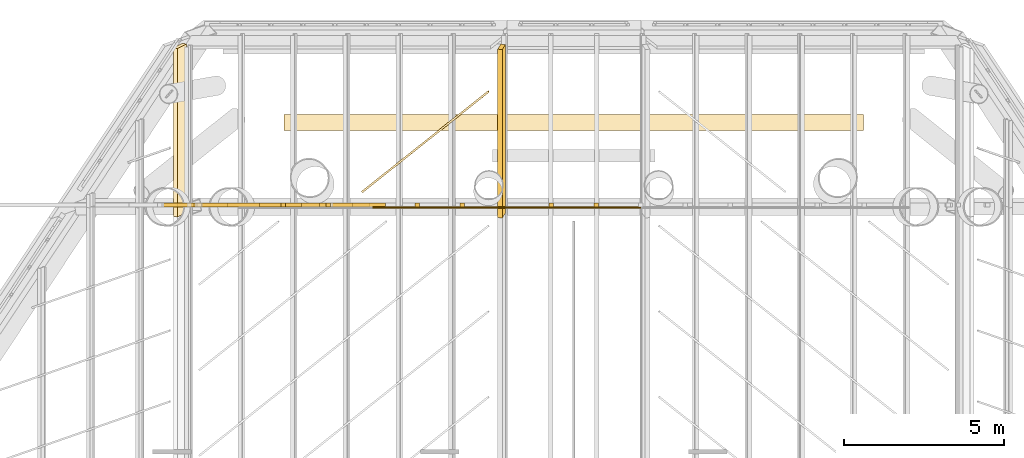
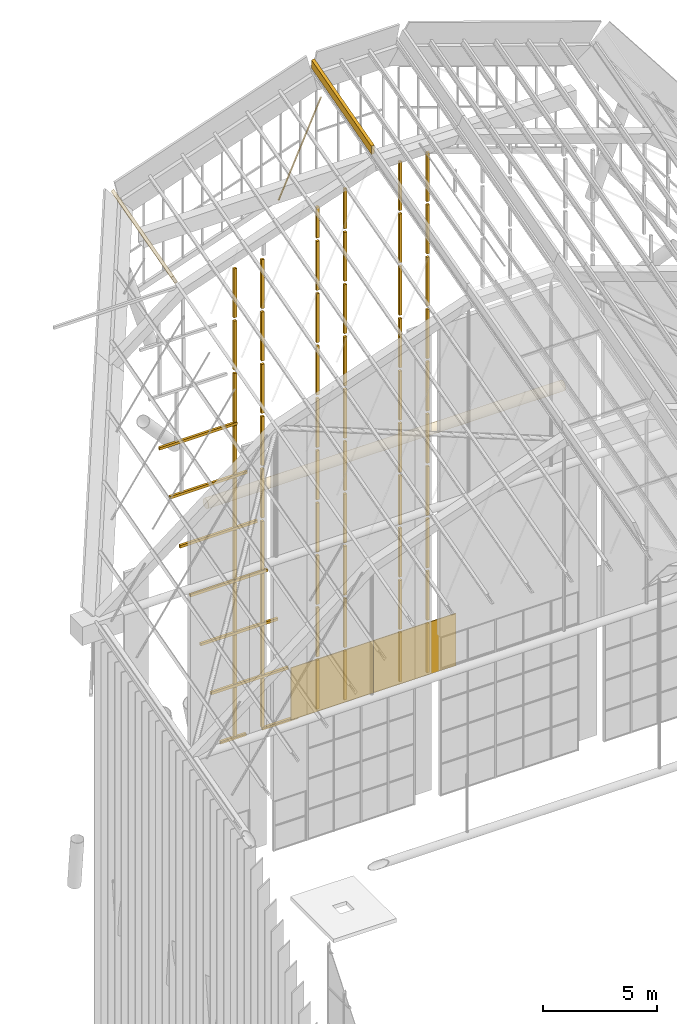
# One storey, part 114 of 126: 72 coverings.
"""IFC4 building model written with IfcOpenShell, lengths in metres."""

from ifc_helpers import new_model, si_unit, direction, frame, origin, origin_2d, place, context, subcontext, project, spatial, polyline, rectangle, circle, outline, extrude, material, layer, layer_set, material_profile, profile_set, type_object, element, save


model = new_model("IFC4")

# Units and contexts
model_context = context("Model", 3, precision=1e-05, world=origin(), true_north=direction((0.0, 1.0)))
body_context = subcontext(model_context, "Body", "Model", "MODEL_VIEW")
ifc_project = project(units=[si_unit("LENGTHUNIT", "METRE"), si_unit("AREAUNIT", "SQUARE_METRE"), si_unit("VOLUMEUNIT", "CUBIC_METRE"), si_unit("PLANEANGLEUNIT", "RADIAN"), si_unit("MASSUNIT", "GRAM", prefix="KILO")], contexts=[model_context])

# Site, building, storey
site_placement = place(None, origin())
site = spatial("IfcSite", under=ifc_project, at=site_placement, CompositionType="ELEMENT")
building_placement = place(site_placement, origin())
building = spatial("IfcBuilding", under=site, at=building_placement, Name="Sava Quay Ferry Terminal", CompositionType="ELEMENT")
storey_placement = place(building_placement, frame((0.0, 0.0, 15.0)))
storey = spatial("IfcBuildingStorey", under=building, at=storey_placement, Name="L03", CompositionType="ELEMENT", Elevation=15.0)

# Coverings
ifc_material_1 = material(Name="Steel S355", Category="steel")
ifc_material_profile_1 = material_profile(ifc_material_1, rectangle(XDim=0.14990234375, YDim=0.60009765625, at=origin_2d()), Name="Cap 150 x 600")
ifc_profile_set_1 = profile_set([ifc_material_profile_1], Name="Steel S355")
covering_type_1 = type_object("IfcCoveringType", Name="Crease capping 150x600", PredefinedType="MOLDING", material=ifc_profile_set_1)
for number, where, z_axis, x_axis, name in (
    (1, (50.6572265625, 108.96240234375, 25.925048828125), (0.0, 0.964574190917, 0.263811732523), (-0.885496565881, 0.122579045404, -0.44818546322), "Departure hall crease capping bay 8 crease 1"),
    (2, (60.737548828125, 108.93505859375, 29.388671875), (0.0, 0.964574190917, 0.263811732523), (-0.987174224814, 0.042116656855, -0.153991029213), "Departure hall crease capping bay 8 crease 2"),
):
    element("IfcCovering", number, at=place(storey_placement, frame(where, z_axis=z_axis, x_axis=x_axis)), inside=storey, type_object=covering_type_1, Name=name, PredefinedType="MOLDING", context=body_context, shape_type="SweptSolid", body=[
        extrude(rectangle(XDim=0.14990234375, YDim=0.60009765625, at=origin_2d()), origin(), (0.0, 0.0, 1.0), 5.473876953125),
    ])
ifc_material_2 = material(Name="Laminated glass", Category="glass")
ifc_layer_1 = layer(ifc_material_2, 0.0400390625)
ifc_layer_set_1 = layer_set([ifc_layer_1], Name="Laminated glass")
covering_type_2 = type_object("IfcCoveringType", Name="Prow end glazing 40", PredefinedType="CLADDING", material=ifc_layer_set_1)
covering_1_placement = place(storey_placement, frame((56.699951171875, 109.199951171875, 0.006591796875), z_axis=(0.0, 1.0, 0.0), x_axis=(0.0, 0.0, 1.0)))
element("IfcCovering", 3, at=covering_1_placement, inside=storey, type_object=covering_type_2, Name="Departure hall prow end glazing panel 12", PredefinedType="CLADDING", context=body_context, shape_type="SweptSolid", body=[
    extrude(outline(polyline([(0.0, 0.0), (2.8134765625, 0.0), (2.8134765625, 4.199951171875), (0.0, 4.199951171875), (0.0, 0.0)])), origin(), (0.0, 0.0, -1.0), 0.0400390625),
])
covering_2_placement = place(storey_placement, frame((60.89990234375, 109.199951171875, 0.006591796875), z_axis=(0.0, 1.0, 0.0), x_axis=(0.0, 0.0, 1.0)))
element("IfcCovering", 4, at=covering_2_placement, inside=storey, type_object=covering_type_2, Name="Departure hall prow end glazing panel 13", PredefinedType="CLADDING", context=body_context, shape_type="SweptSolid", body=[
    extrude(outline(polyline([(0.0, 0.0), (2.8134765625, 0.0), (2.8134765625, 4.2001953125), (0.0, 4.2001953125), (0.0, 0.0)])), origin(), (0.0, 0.0, -1.0), 0.0400390625),
])
ifc_material_3 = material(Name="Steel S355", Category="steel")
ifc_material_profile_2 = material_profile(ifc_material_3, rectangle(XDim=0.139892578125, YDim=0.1201171875, at=origin_2d()), Name="Strip 140 x 120")
ifc_profile_set_2 = profile_set([ifc_material_profile_2], Name="Steel S355")
covering_type_3 = type_object("IfcCoveringType", Name="Prow glazing bar 140 x 120", PredefinedType="CLADDING", material=ifc_profile_set_2)
for number, where, z_axis, x_axis, name in (
    (5, (55.300048828125, 109.260009765625, 0.0966796875), (0.0, 0.0, 1.0), (1.0, 0.0, 0.0), "Prow glazing bar"),
    (6, (53.89990234375, 109.260009765625, 0.0966796875), (0.0, 0.0, 1.0), (1.0, 0.0, 0.0), "Prow glazing bar"),
    (7, (59.5, 109.260009765625, 0.0966796875), (0.0, 0.0, 1.0), (1.0, 0.0, 0.0), "Prow glazing bar"),
    (8, (58.099853515625, 109.260009765625, 0.0966796875), (0.0, 0.0, 1.0), (1.0, 0.0, 0.0), "Prow glazing bar"),
    (9, (63.699951171875, 109.260009765625, 0.0966796875), (0.0, 0.0, 1.0), (1.0, 0.0, 0.0), "Prow glazing bar"),
    (10, (62.300048828125, 109.260009765625, 0.0966796875), (0.0, 0.0, 1.0), (1.0, 0.0, 0.0), "Prow glazing bar"),
):
    element("IfcCovering", number, at=place(storey_placement, frame(where, z_axis=z_axis, x_axis=x_axis)), inside=storey, type_object=covering_type_3, Name=name, PredefinedType="CLADDING", context=body_context, shape_type="SweptSolid", body=[
        extrude(rectangle(XDim=0.139892578125, YDim=0.1201171875, at=origin_2d()), origin(), (0.0, 0.0, 1.0), 2.63330078125),
    ])
for number, where, z_axis, x_axis, name in (
    (11, (55.300048828125, 109.260009765625, 2.91015625), (0.0, 0.0, 1.0), (1.0, 0.0, 0.0), "Prow glazing bar"),
    (12, (53.89990234375, 109.260009765625, 2.91015625), (0.0, 0.0, 1.0), (1.0, 0.0, 0.0), "Prow glazing bar"),
    (13, (59.5, 109.260009765625, 2.91015625), (0.0, 0.0, 1.0), (1.0, 0.0, 0.0), "Prow glazing bar"),
    (14, (58.099853515625, 109.260009765625, 2.91015625), (0.0, 0.0, 1.0), (1.0, 0.0, 0.0), "Prow glazing bar"),
    (15, (63.699951171875, 109.260009765625, 2.91015625), (0.0, 0.0, 1.0), (1.0, 0.0, 0.0), "Prow glazing bar"),
    (16, (62.300048828125, 109.260009765625, 2.91015625), (0.0, 0.0, 1.0), (1.0, 0.0, 0.0), "Prow glazing bar"),
):
    element("IfcCovering", number, at=place(storey_placement, frame(where, z_axis=z_axis, x_axis=x_axis)), inside=storey, type_object=covering_type_3, Name=name, PredefinedType="CLADDING", context=body_context, shape_type="SweptSolid", body=[
        extrude(rectangle(XDim=0.139892578125, YDim=0.1201171875, at=origin_2d()), origin(), (0.0, 0.0, 1.0), 2.633056640625),
    ])
for number, where, z_axis, x_axis, name in (
    (17, (55.300048828125, 109.260009765625, 5.723388671875), (0.0, 0.0, 1.0), (1.0, 0.0, 0.0), "Prow glazing bar"),
    (18, (53.89990234375, 109.260009765625, 5.723388671875), (0.0, 0.0, 1.0), (1.0, 0.0, 0.0), "Prow glazing bar"),
    (19, (59.5, 109.260009765625, 5.723388671875), (0.0, 0.0, 1.0), (1.0, 0.0, 0.0), "Prow glazing bar"),
    (20, (58.099853515625, 109.260009765625, 5.723388671875), (0.0, 0.0, 1.0), (1.0, 0.0, 0.0), "Prow glazing bar"),
    (21, (63.699951171875, 109.260009765625, 5.723388671875), (0.0, 0.0, 1.0), (1.0, 0.0, 0.0), "Prow glazing bar"),
    (22, (62.300048828125, 109.260009765625, 5.723388671875), (0.0, 0.0, 1.0), (1.0, 0.0, 0.0), "Prow glazing bar"),
):
    element("IfcCovering", number, at=place(storey_placement, frame(where, z_axis=z_axis, x_axis=x_axis)), inside=storey, type_object=covering_type_3, Name=name, PredefinedType="CLADDING", context=body_context, shape_type="SweptSolid", body=[
        extrude(rectangle(XDim=0.139892578125, YDim=0.1201171875, at=origin_2d()), origin(), (0.0, 0.0, 1.0), 2.63330078125),
    ])
for number, where, z_axis, x_axis, name in (
    (23, (55.300048828125, 109.260009765625, 8.536865234375), (0.0, 0.0, 1.0), (1.0, 0.0, 0.0), "Prow glazing bar"),
    (24, (53.89990234375, 109.260009765625, 8.536865234375), (0.0, 0.0, 1.0), (1.0, 0.0, 0.0), "Prow glazing bar"),
    (25, (59.5, 109.260009765625, 8.536865234375), (0.0, 0.0, 1.0), (1.0, 0.0, 0.0), "Prow glazing bar"),
    (26, (58.099853515625, 109.260009765625, 8.536865234375), (0.0, 0.0, 1.0), (1.0, 0.0, 0.0), "Prow glazing bar"),
    (27, (63.699951171875, 109.260009765625, 8.536865234375), (0.0, 0.0, 1.0), (1.0, 0.0, 0.0), "Prow glazing bar"),
    (28, (62.300048828125, 109.260009765625, 8.536865234375), (0.0, 0.0, 1.0), (1.0, 0.0, 0.0), "Prow glazing bar"),
):
    element("IfcCovering", number, at=place(storey_placement, frame(where, z_axis=z_axis, x_axis=x_axis)), inside=storey, type_object=covering_type_3, Name=name, PredefinedType="CLADDING", context=body_context, shape_type="SweptSolid", body=[
        extrude(rectangle(XDim=0.139892578125, YDim=0.1201171875, at=origin_2d()), origin(), (0.0, 0.0, 1.0), 2.633056640625),
    ])
for number, where, z_axis, x_axis, name in (
    (29, (55.300048828125, 109.260009765625, 11.35009765625), (0.0, 0.0, 1.0), (1.0, 0.0, 0.0), "Prow glazing bar"),
    (30, (53.89990234375, 109.260009765625, 11.35009765625), (0.0, 0.0, 1.0), (1.0, 0.0, 0.0), "Prow glazing bar"),
    (31, (59.5, 109.260009765625, 11.35009765625), (0.0, 0.0, 1.0), (1.0, 0.0, 0.0), "Prow glazing bar"),
    (32, (58.099853515625, 109.260009765625, 11.35009765625), (0.0, 0.0, 1.0), (1.0, 0.0, 0.0), "Prow glazing bar"),
    (33, (63.699951171875, 109.260009765625, 11.35009765625), (0.0, 0.0, 1.0), (1.0, 0.0, 0.0), "Prow glazing bar"),
    (34, (62.300048828125, 109.260009765625, 11.35009765625), (0.0, 0.0, 1.0), (1.0, 0.0, 0.0), "Prow glazing bar"),
):
    element("IfcCovering", number, at=place(storey_placement, frame(where, z_axis=z_axis, x_axis=x_axis)), inside=storey, type_object=covering_type_3, Name=name, PredefinedType="CLADDING", context=body_context, shape_type="SweptSolid", body=[
        extrude(rectangle(XDim=0.139892578125, YDim=0.1201171875, at=origin_2d()), origin(), (0.0, 0.0, 1.0), 2.63330078125),
    ])
for number, where, z_axis, x_axis, name in (
    (35, (55.300048828125, 109.260009765625, 14.16357421875), (0.0, 0.0, 1.0), (1.0, 0.0, 0.0), "Prow glazing bar"),
    (36, (53.89990234375, 109.260009765625, 14.16357421875), (0.0, 0.0, 1.0), (1.0, 0.0, 0.0), "Prow glazing bar"),
    (37, (59.5, 109.260009765625, 14.16357421875), (0.0, 0.0, 1.0), (1.0, 0.0, 0.0), "Prow glazing bar"),
    (38, (58.099853515625, 109.260009765625, 14.16357421875), (0.0, 0.0, 1.0), (1.0, 0.0, 0.0), "Prow glazing bar"),
    (39, (63.699951171875, 109.260009765625, 14.16357421875), (0.0, 0.0, 1.0), (1.0, 0.0, 0.0), "Prow glazing bar"),
    (40, (62.300048828125, 109.260009765625, 14.16357421875), (0.0, 0.0, 1.0), (1.0, 0.0, 0.0), "Prow glazing bar"),
):
    element("IfcCovering", number, at=place(storey_placement, frame(where, z_axis=z_axis, x_axis=x_axis)), inside=storey, type_object=covering_type_3, Name=name, PredefinedType="CLADDING", context=body_context, shape_type="SweptSolid", body=[
        extrude(rectangle(XDim=0.139892578125, YDim=0.1201171875, at=origin_2d()), origin(), (0.0, 0.0, 1.0), 2.633056640625),
    ])
for number, where, z_axis, x_axis, name in (
    (41, (55.300048828125, 109.260009765625, 16.976806640625), (0.0, 0.0, 1.0), (1.0, 0.0, 0.0), "Prow glazing bar"),
    (42, (53.89990234375, 109.260009765625, 16.976806640625), (0.0, 0.0, 1.0), (1.0, 0.0, 0.0), "Prow glazing bar"),
    (43, (59.5, 109.260009765625, 16.976806640625), (0.0, 0.0, 1.0), (1.0, 0.0, 0.0), "Prow glazing bar"),
    (44, (58.099853515625, 109.260009765625, 16.976806640625), (0.0, 0.0, 1.0), (1.0, 0.0, 0.0), "Prow glazing bar"),
    (45, (63.699951171875, 109.260009765625, 16.976806640625), (0.0, 0.0, 1.0), (1.0, 0.0, 0.0), "Prow glazing bar"),
    (46, (62.300048828125, 109.260009765625, 16.976806640625), (0.0, 0.0, 1.0), (1.0, 0.0, 0.0), "Prow glazing bar"),
):
    element("IfcCovering", number, at=place(storey_placement, frame(where, z_axis=z_axis, x_axis=x_axis)), inside=storey, type_object=covering_type_3, Name=name, PredefinedType="CLADDING", context=body_context, shape_type="SweptSolid", body=[
        extrude(rectangle(XDim=0.139892578125, YDim=0.1201171875, at=origin_2d()), origin(), (0.0, 0.0, 1.0), 2.63330078125),
    ])
for number, where, z_axis, x_axis, name in (
    (47, (55.300048828125, 109.260009765625, 19.790283203125), (0.0, 0.0, 1.0), (1.0, 0.0, 0.0), "Prow glazing bar"),
    (48, (53.89990234375, 109.260009765625, 19.790283203125), (0.0, 0.0, 1.0), (1.0, 0.0, 0.0), "Prow glazing bar"),
    (49, (59.5, 109.260009765625, 19.790283203125), (0.0, 0.0, 1.0), (1.0, 0.0, 0.0), "Prow glazing bar"),
    (50, (58.099853515625, 109.260009765625, 19.790283203125), (0.0, 0.0, 1.0), (1.0, 0.0, 0.0), "Prow glazing bar"),
    (51, (63.699951171875, 109.260009765625, 19.790283203125), (0.0, 0.0, 1.0), (1.0, 0.0, 0.0), "Prow glazing bar"),
    (52, (62.300048828125, 109.260009765625, 19.790283203125), (0.0, 0.0, 1.0), (1.0, 0.0, 0.0), "Prow glazing bar"),
):
    element("IfcCovering", number, at=place(storey_placement, frame(where, z_axis=z_axis, x_axis=x_axis)), inside=storey, type_object=covering_type_3, Name=name, PredefinedType="CLADDING", context=body_context, shape_type="SweptSolid", body=[
        extrude(rectangle(XDim=0.139892578125, YDim=0.1201171875, at=origin_2d()), origin(), (0.0, 0.0, 1.0), 2.633056640625),
    ])
for number, where, z_axis, x_axis, name in (
    (53, (55.300048828125, 109.260009765625, 22.603515625), (0.0, 0.0, 1.0), (1.0, 0.0, 0.0), "Prow glazing bar"),
    (54, (53.89990234375, 109.260009765625, 22.603515625), (0.0, 0.0, 1.0), (1.0, 0.0, 0.0), "Prow glazing bar"),
    (55, (59.5, 109.260009765625, 22.603515625), (0.0, 0.0, 1.0), (1.0, 0.0, 0.0), "Prow glazing bar"),
    (56, (58.099853515625, 109.260009765625, 22.603515625), (0.0, 0.0, 1.0), (1.0, 0.0, 0.0), "Prow glazing bar"),
    (57, (63.699951171875, 109.260009765625, 22.603515625), (0.0, 0.0, 1.0), (1.0, 0.0, 0.0), "Prow glazing bar"),
    (58, (62.300048828125, 109.260009765625, 22.603515625), (0.0, 0.0, 1.0), (1.0, 0.0, 0.0), "Prow glazing bar"),
):
    element("IfcCovering", number, at=place(storey_placement, frame(where, z_axis=z_axis, x_axis=x_axis)), inside=storey, type_object=covering_type_3, Name=name, PredefinedType="CLADDING", context=body_context, shape_type="SweptSolid", body=[
        extrude(rectangle(XDim=0.139892578125, YDim=0.1201171875, at=origin_2d()), origin(), (0.0, 0.0, 1.0), 2.63330078125),
    ])
covering_3_placement = place(storey_placement, frame((59.5, 109.260009765625, 25.4169921875), z_axis=(0.0, 0.0, 1.0), x_axis=(1.0, 0.0, 0.0)))
element("IfcCovering", 59, at=covering_3_placement, inside=storey, type_object=covering_type_3, Name="Prow glazing bar", PredefinedType="CLADDING", context=body_context, shape_type="SweptSolid", body=[
    extrude(rectangle(XDim=0.139892578125, YDim=0.1201171875, at=origin_2d()), origin(), (0.0, 0.0, 1.0), 2.151123046875),
])
covering_4_placement = place(storey_placement, frame((58.099853515625, 109.260009765625, 25.4169921875), z_axis=(0.0, 0.0, 1.0), x_axis=(1.0, 0.0, 0.0)))
element("IfcCovering", 60, at=covering_4_placement, inside=storey, type_object=covering_type_3, Name="Prow glazing bar", PredefinedType="CLADDING", context=body_context, shape_type="SweptSolid", body=[
    extrude(rectangle(XDim=0.139892578125, YDim=0.1201171875, at=origin_2d()), origin(), (0.0, 0.0, 1.0), 1.669189453125),
])
for number, where, z_axis, x_axis, name in (
    (61, (63.699951171875, 109.260009765625, 25.4169921875), (0.0, 0.0, 1.0), (1.0, 0.0, 0.0), "Prow glazing bar"),
    (62, (62.300048828125, 109.260009765625, 25.4169921875), (0.0, 0.0, 1.0), (1.0, 0.0, 0.0), "Prow glazing bar"),
):
    element("IfcCovering", number, at=place(storey_placement, frame(where, z_axis=z_axis, x_axis=x_axis)), inside=storey, type_object=covering_type_3, Name=name, PredefinedType="CLADDING", context=body_context, shape_type="SweptSolid", body=[
        extrude(rectangle(XDim=0.139892578125, YDim=0.1201171875, at=origin_2d()), origin(), (0.0, 0.0, 1.0), 2.633056640625),
    ])
covering_5_placement = place(storey_placement, frame((57.099609375, 109.260009765625, 0.006591796875), z_axis=(-1.0, 0.0, 0.0), x_axis=(0.0, 0.0, 1.0)))
element("IfcCovering", 63, at=covering_5_placement, inside=storey, type_object=covering_type_3, Name="Prow glazing bar", PredefinedType="CLADDING", context=body_context, shape_type="SweptSolid", body=[
    extrude(rectangle(XDim=0.139892578125, YDim=0.1201171875, at=origin_2d()), origin(), (0.0, 0.0, 1.0), 1.821533203125),
])
covering_6_placement = place(storey_placement, frame((54.468505859375, 109.260009765625, 0.006591796875), z_axis=(-1.0, 0.0, 0.0), x_axis=(0.0, 0.0, 1.0)))
element("IfcCovering", 64, at=covering_6_placement, inside=storey, type_object=covering_type_3, Name="Prow glazing bar", PredefinedType="CLADDING", context=body_context, shape_type="SweptSolid", body=[
    extrude(rectangle(XDim=0.139892578125, YDim=0.1201171875, at=origin_2d()), origin(), (0.0, 0.0, 1.0), 1.315673828125),
])
for number, where, z_axis, x_axis, name in (
    (65, (56.60009765625, 109.260009765625, 2.820068359375), (-1.0, 0.0, 0.0), (0.0, 0.0, 1.0), "Prow glazing bar"),
    (66, (56.0673828125, 109.260009765625, 5.63330078125), (-1.0, 0.0, 0.0), (0.0, 0.0, 1.0), "Prow glazing bar"),
):
    element("IfcCovering", number, at=place(storey_placement, frame(where, z_axis=z_axis, x_axis=x_axis)), inside=storey, type_object=covering_type_3, Name=name, PredefinedType="CLADDING", context=body_context, shape_type="SweptSolid", body=[
        extrude(rectangle(XDim=0.139892578125, YDim=0.1201171875, at=origin_2d()), origin(), (0.0, 0.0, 1.0), 3.916259765625),
    ])
covering_7_placement = place(storey_placement, frame((55.551513671875, 109.260009765625, 8.44677734375), z_axis=(-1.0, 0.0, 0.0), x_axis=(0.0, 0.0, 1.0)))
element("IfcCovering", 67, at=covering_7_placement, inside=storey, type_object=covering_type_3, Name="Prow glazing bar", PredefinedType="CLADDING", context=body_context, shape_type="SweptSolid", body=[
    extrude(rectangle(XDim=0.139892578125, YDim=0.1201171875, at=origin_2d()), origin(), (0.0, 0.0, 1.0), 3.9287109375),
])
covering_8_placement = place(storey_placement, frame((55.035400390625, 109.260009765625, 11.260009765625), z_axis=(-1.0, 0.0, 0.0), x_axis=(0.0, 0.0, 1.0)))
element("IfcCovering", 68, at=covering_8_placement, inside=storey, type_object=covering_type_3, Name="Prow glazing bar", PredefinedType="CLADDING", context=body_context, shape_type="SweptSolid", body=[
    extrude(rectangle(XDim=0.139892578125, YDim=0.1201171875, at=origin_2d()), origin(), (0.0, 0.0, 1.0), 3.9384765625),
])
covering_9_placement = place(storey_placement, frame((54.519287109375, 109.260009765625, 14.073486328125), z_axis=(-1.0, 0.0, 0.0), x_axis=(0.0, 0.0, 1.0)))
element("IfcCovering", 69, at=covering_9_placement, inside=storey, type_object=covering_type_3, Name="Prow glazing bar", PredefinedType="CLADDING", context=body_context, shape_type="SweptSolid", body=[
    extrude(rectangle(XDim=0.139892578125, YDim=0.1201171875, at=origin_2d()), origin(), (0.0, 0.0, 1.0), 3.946044921875),
])
covering_10_placement = place(storey_placement, frame((54.00341796875, 109.260009765625, 16.88671875), z_axis=(-1.0, 0.0, 0.0), x_axis=(0.0, 0.0, 1.0)))
element("IfcCovering", 70, at=covering_10_placement, inside=storey, type_object=covering_type_3, Name="Prow glazing bar", PredefinedType="CLADDING", context=body_context, shape_type="SweptSolid", body=[
    extrude(rectangle(XDim=0.139892578125, YDim=0.1201171875, at=origin_2d()), origin(), (0.0, 0.0, 1.0), 3.952880859375),
])
ifc_material_4 = material(Name="Steel S355", Category="steel")
ifc_material_profile_3 = material_profile(ifc_material_4, circle(Radius=0.25, at=origin_2d()), Name="Tie 500")
ifc_profile_set_3 = profile_set([ifc_material_profile_3], Name="Steel S355")
covering_type_4 = type_object("IfcCoveringType", Name="Prow tip tie tube CHS 500", PredefinedType="CLADDING", material=ifc_profile_set_3)
covering_11_placement = place(storey_placement, frame((53.923095703125, 111.84716796875, 11.0), z_axis=(1.0, 0.0, 0.0), x_axis=(0.0, 1.0, 0.0)))
element("IfcCovering", 71, at=covering_11_placement, inside=storey, type_object=covering_type_4, Name="Departure hall prow tip tie tube", PredefinedType="CLADDING", context=body_context, shape_type="SweptSolid", body=[
    extrude(circle(Radius=0.25, at=origin_2d()), origin(), (0.0, 0.0, 1.0), 18.15380859375),
])
ifc_material_5 = material(Name="Zinc standing seam")
ifc_layer_2 = layer(ifc_material_5, 0.0400390625)
ifc_layer_set_2 = layer_set([ifc_layer_2], Name="Zinc standing seam")
covering_type_5 = type_object("IfcCoveringType", Name="Roof seam rib 60", PredefinedType="ROOFING", material=ifc_layer_set_2)
covering_12_placement = place(storey_placement, frame((56.340576171875, 109.68359375, 27.8017578125), z_axis=(-0.315829699893, -0.249554555615, 0.915409266087), x_axis=(0.716782000501, 0.569384400079, 0.402523252378)))
element("IfcCovering", 72, at=covering_12_placement, inside=storey, type_object=covering_type_5, Name="Roof seam rib", PredefinedType="ROOFING", context=body_context, shape_type="SweptSolid", body=[
    extrude(outline(polyline([(0.0, 0.0), (5.53385116802991, -1.9038590148845458e-16), (5.533796592068335, -0.060128978686512645), (-0.00022957156716629443, -0.05997720347480134), (0.0, 0.0)])), origin(), (0.0, 0.0, -1.0), 0.0400390625),
])

save(model, "model.ifc")
